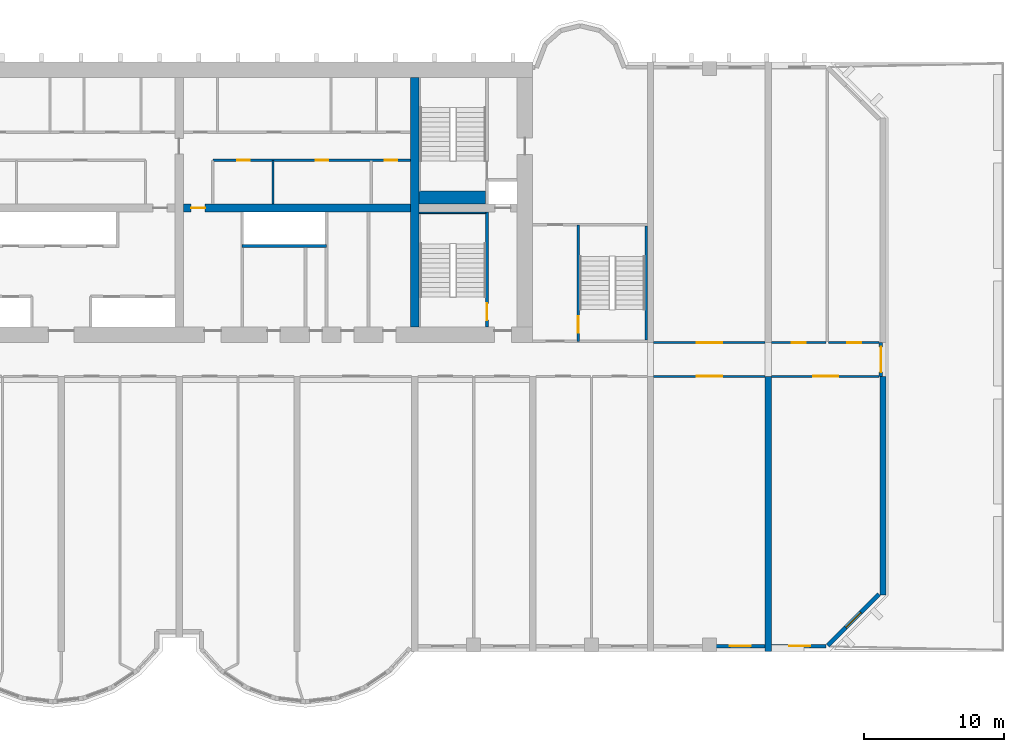
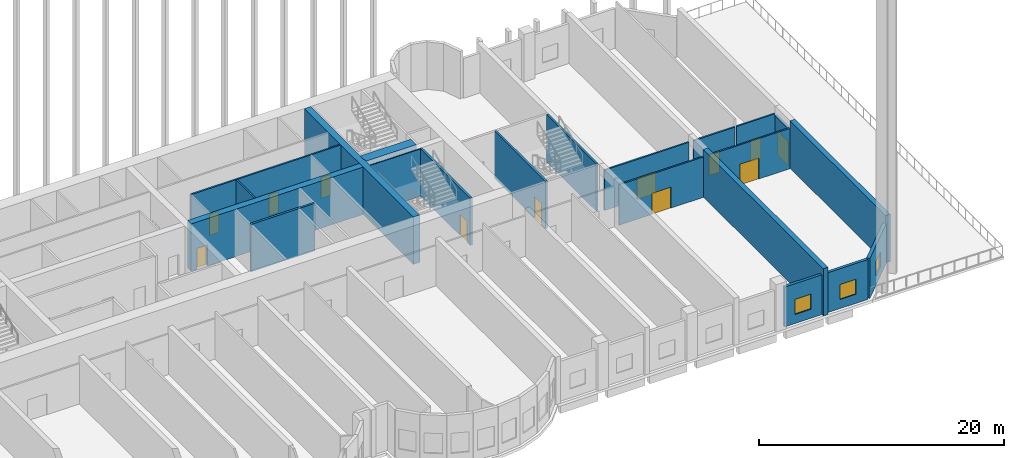
# One storey, part 7 of 11: 21 walls, 12 doors, 3 windows, 15 openings.
"""IFC4 building model written with IfcOpenShell, lengths in metres."""

from ifc_helpers import new_model, si_unit, direction, frame, frame_2d, origin, place, context, subcontext, project, spatial, rectangle, extrude, source, transform, mapped, material, layer, layer_set, type_object, element, fill, save


model = new_model("IFC4")

# Units and contexts
model_context = context("Model", 3, precision=1e-05, world=origin(), true_north=direction((0.0, 1.0)))
body_context = subcontext(model_context, "Body", "Model", "MODEL_VIEW")
ifc_project = project(units=[si_unit("LENGTHUNIT", "METRE"), si_unit("AREAUNIT", "SQUARE_METRE"), si_unit("VOLUMEUNIT", "CUBIC_METRE"), si_unit("PLANEANGLEUNIT", "RADIAN"), si_unit("MASSUNIT", "GRAM", prefix="KILO")], contexts=[model_context])

# Site, building, storey
site_placement = place(None, origin())
site = spatial("IfcSite", under=ifc_project, at=site_placement, CompositionType="ELEMENT")
building_placement = place(site_placement, origin())
building = spatial("IfcBuilding", under=site, at=building_placement, Name="Vanashikhar Sky Hotel", CompositionType="ELEMENT")
storey_placement = place(building_placement, frame((0.0, 0.0, 18.0)))
storey = spatial("IfcBuildingStorey", under=building, at=storey_placement, Name="L03", CompositionType="ELEMENT", Elevation=18.0)

# Wall
ifc_material_1 = material(Name="Concrete M80", Category="concrete")
ifc_layer_1 = layer(ifc_material_1, 0.60009765625)
ifc_layer_set_1 = layer_set([ifc_layer_1], Name="RC core inner wall 600 Concrete M80")
wall_type_1 = type_object("IfcWallType", Name="RC core inner wall 600 Concrete M80", PredefinedType="SHEAR", material=ifc_layer_set_1)
shared_shape_1 = source(origin(), body_context, "Body", "SweptSolid", [
    extrude(rectangle(XDim=17.7998046875, YDim=0.60009765625, at=frame_2d((8.89990234375, 0.0))), origin(), (0.0, 0.0, 1.0), 4.719970703125),
])
wall_1_placement = place(storey_placement, frame((67.199951171875, 23.10009765625, 0.0), z_axis=(0.0, 0.0, 1.0), x_axis=(0.0, 1.0, 0.0)))
element("IfcWall", 1, at=wall_1_placement, inside=storey, type_object=wall_type_1, Name="KW-L03-KX3", PredefinedType="SHEAR", context=body_context, shape_type="MappedRepresentation", body=[
    mapped(shared_shape_1, transform((0.0, 0.0, 0.0), scale=1.0)),
])

# Wall, opening, door
shared_shape_2 = source(origin(), body_context, "Body", "SweptSolid", [
    extrude(rectangle(XDim=16.199951171875, YDim=0.60009765625, at=frame_2d((8.10009765625, 0.0))), origin(), (0.0, 0.0, 1.0), 4.719970703125),
])
wall_2_placement = place(storey_placement, frame((50.699951171875, 31.60009765625, 0.0), z_axis=(0.0, 0.0, 1.0), x_axis=(1.0, 0.0, 0.0)))
wall_2 = element("IfcWall", 2, at=wall_2_placement, inside=storey, type_object=wall_type_1, Name="KW-L03-KY3", PredefinedType="SHEAR", context=body_context, shape_type="MappedRepresentation", body=[
    mapped(shared_shape_2, transform((0.0, 0.0, 0.0), scale=1.0)),
])
shared_shape_3 = source(origin(), body_context, "Body", "SweptSolid", [
    extrude(rectangle(XDim=1.0, YDim=2.10009765625, at=frame_2d((0.5, 1.050048828125))), frame((0.0, 0.31005859375, 0.0), z_axis=(0.0, -1.0, 0.0), x_axis=(1.0, 0.0, 0.0)), (0.0, 0.0, 1.0), 0.6201171875),
])
opening_1_placement = place(wall_2_placement, frame((0.550048828125, 0.0, 0.0)))
opening_1 = element("IfcOpeningElement", 3, at=opening_1_placement, cuts=wall_2, Name="Opening DC-4", PredefinedType="OPENING", context=body_context, shape_type="MappedRepresentation", body=[
    mapped(shared_shape_3, transform((0.0, 0.0, 0.0), scale=1.0)),
])
ifc_material_2 = material(Name="Steel", Category="steel")
door_type_1 = type_object("IfcDoorType", Name="Service door 1000 FD60", OperationType="NOTDEFINED", PredefinedType="DOOR", material=ifc_material_2)
shared_shape_4 = source(origin(), body_context, "Body", "SweptSolid", [
    extrude(rectangle(XDim=1.0, YDim=2.10009765625, at=frame_2d((0.5, 1.050048828125))), frame((0.0, 0.02490234375, 0.0), z_axis=(0.0, -1.0, 0.0), x_axis=(1.0, 0.0, 0.0)), (0.0, 0.0, 1.0), 0.050048828125),
])
door_1_placement = place(opening_1_placement, origin())
door_1 = element("IfcDoor", 4, at=door_1_placement, inside=storey, type_object=door_type_1, Name="Service door 1000 FD60", OperationType="SINGLE_SWING_RIGHT", OverallHeight=2.10009765625, OverallWidth=1.0, PredefinedType="DOOR", context=body_context, shape_type="MappedRepresentation", body=[
    mapped(shared_shape_4, transform((0.0, 0.0, 0.0), scale=1.0)),
])
fill(opening_1, door_1)

# Walls
ifc_layer_2 = layer(ifc_material_1, 0.449951171875)
ifc_layer_set_2 = layer_set([ifc_layer_2], Name="RC shear wall 450 Concrete M80")
wall_type_2 = type_object("IfcWallType", Name="RC shear wall 450 Concrete M80", PredefinedType="SHEAR", material=ifc_layer_set_2)
shared_shape_5 = source(origin(), body_context, "Body", "SweptSolid", [
    extrude(rectangle(XDim=15.60009765625, YDim=0.449951171875, at=frame_2d((7.800048828125, 0.0))), origin(), (0.0, 0.0, 1.0), 4.719970703125),
])
wall_3_placement = place(storey_placement, frame((100.574951171875, 4.0, 0.0), z_axis=(0.0, 0.0, 1.0), x_axis=(0.0, 1.0, 0.0)))
element("IfcWall", 5, at=wall_3_placement, inside=storey, type_object=wall_type_2, Name="CW-L03-XW13-1", PredefinedType="SHEAR", context=body_context, shape_type="MappedRepresentation", body=[
    mapped(shared_shape_5, transform((0.0, 0.0, 0.0), scale=1.0)),
])
shared_shape_6 = source(origin(), body_context, "Body", "SweptSolid", [
    extrude(rectangle(XDim=19.60009765625, YDim=0.449951171875, at=frame_2d((9.800048828125, 0.0))), origin(), (0.0, 0.0, 1.0), 4.719970703125),
])
wall_4_placement = place(storey_placement, frame((92.39990234375, 0.0, 0.0), z_axis=(0.0, 0.0, 1.0), x_axis=(0.0, 1.0, 0.0)))
element("IfcWall", 6, at=wall_4_placement, inside=storey, type_object=wall_type_2, Name="CW-L03-XW12-1", PredefinedType="SHEAR", context=body_context, shape_type="MappedRepresentation", body=[
    mapped(shared_shape_6, transform((0.0, 0.0, 0.0), scale=1.0)),
])

# Wall, opening, window
ifc_material_3 = material(Name="Concrete M50", Category="concrete")
ifc_layer_3 = layer(ifc_material_3, 0.25)
ifc_layer_set_3 = layer_set([ifc_layer_3], Name="Rear and end board-marked wall 250")
wall_type_3 = type_object("IfcWallType", Name="Rear and end board-marked wall 250", PredefinedType="SOLIDWALL", material=ifc_layer_set_3)
shared_shape_7 = source(origin(), body_context, "Body", "SweptSolid", [
    extrude(rectangle(XDim=3.525146484375, YDim=0.25, at=frame_2d((1.7626953125, 0.0))), origin(), (0.0, 0.0, 1.0), 3.969970703125),
])
wall_5_placement = place(storey_placement, frame((88.64990234375, 0.375, 0.0), z_axis=(0.0, 0.0, 1.0), x_axis=(1.0, 0.0, 0.0)))
wall_5 = element("IfcWall", 7, at=wall_5_placement, inside=storey, type_object=wall_type_3, Name="Podium external wall", PredefinedType="SOLIDWALL", context=body_context, shape_type="MappedRepresentation", body=[
    mapped(shared_shape_7, transform((0.0, 0.0, 0.0), scale=1.0)),
])
shared_shape_8 = source(origin(), body_context, "Body", "SweptSolid", [
    extrude(rectangle(XDim=1.5, YDim=1.5, at=frame_2d((0.75, 0.75))), frame((0.0, 0.135009765625, 0.0), z_axis=(0.0, -1.0, 0.0), x_axis=(1.0, 0.0, 0.0)), (0.0, 0.0, 1.0), 0.27001953125),
])
opening_2_placement = place(wall_5_placement, frame((1.012451171875, 0.0, 0.89990234375)))
opening_2 = element("IfcOpeningElement", 8, at=opening_2_placement, cuts=wall_5, Name="Opening WN-1", PredefinedType="OPENING", context=body_context, shape_type="MappedRepresentation", body=[
    mapped(shared_shape_8, transform((0.0, 0.0, 0.0), scale=1.0)),
])
ifc_material_4 = material(Name="Glass", Category="glass")
window_type = type_object("IfcWindowType", Name="Window 1500 x 1500", PartitioningType="SINGLE_PANEL", PredefinedType="WINDOW", material=ifc_material_4)
shared_shape_9 = source(origin(), body_context, "Body", "SweptSolid", [
    extrude(rectangle(XDim=1.5, YDim=1.5, at=frame_2d((0.75, 0.75))), frame((0.0, 0.030029296875, 0.0), z_axis=(0.0, -1.0, 0.0), x_axis=(1.0, 0.0, 0.0)), (0.0, 0.0, 1.0), 0.06005859375),
])
window_1_placement = place(opening_2_placement, origin())
window_1 = element("IfcWindow", 9, at=window_1_placement, inside=storey, type_object=window_type, Name="Window WN-1", OverallHeight=1.5, OverallWidth=1.5, PartitioningType="SINGLE_PANEL", PredefinedType="WINDOW", context=body_context, shape_type="MappedRepresentation", body=[
    mapped(shared_shape_9, transform((0.0, 0.0, 0.0), scale=1.0)),
])
fill(opening_2, window_1)

shared_shape_10 = source(origin(), body_context, "Body", "SweptSolid", [
    extrude(rectangle(XDim=3.899658203125, YDim=0.25, at=frame_2d((1.94970703125, 0.0))), origin(), (0.0, 0.0, 1.0), 3.969970703125),
])
wall_6_placement = place(storey_placement, frame((92.625, 0.375, 0.0), z_axis=(0.0, 0.0, 1.0), x_axis=(1.0, 0.0, 0.0)))
wall_6 = element("IfcWall", 10, at=wall_6_placement, inside=storey, type_object=wall_type_3, Name="Podium external wall", PredefinedType="SOLIDWALL", context=body_context, shape_type="MappedRepresentation", body=[
    mapped(shared_shape_10, transform((0.0, 0.0, 0.0), scale=1.0)),
])
opening_3_placement = place(wall_6_placement, frame((1.260009765625, 0.0, 0.89990234375)))
opening_3 = element("IfcOpeningElement", 11, at=opening_3_placement, cuts=wall_6, Name="Opening WN-1", PredefinedType="OPENING", context=body_context, shape_type="MappedRepresentation", body=[
    mapped(shared_shape_8, transform((0.0, 0.0, 0.0), scale=1.0)),
])
window_2_placement = place(opening_3_placement, origin())
window_2 = element("IfcWindow", 12, at=window_2_placement, inside=storey, type_object=window_type, Name="Window WN-1", OverallHeight=1.5, OverallWidth=1.5, PartitioningType="SINGLE_PANEL", PredefinedType="WINDOW", context=body_context, shape_type="MappedRepresentation", body=[
    mapped(shared_shape_9, transform((0.0, 0.0, 0.0), scale=1.0)),
])
fill(opening_3, window_2)

ifc_layer_4 = layer(ifc_material_3, 0.300048828125)
ifc_layer_set_4 = layer_set([ifc_layer_4], Name="Lobe wall 300")
wall_type_4 = type_object("IfcWallType", Name="Lobe wall 300", PredefinedType="SOLIDWALL", material=ifc_layer_set_4)
shared_shape_11 = source(origin(), body_context, "Body", "SweptSolid", [
    extrude(rectangle(XDim=5.173095703125, YDim=0.300048828125, at=frame_2d((2.58642578125, 0.0))), origin(), (0.0, 0.0, 1.0), 3.969970703125),
])
wall_7_placement = place(storey_placement, frame((96.63427734375, 0.39990234375, 0.0), z_axis=(0.0, 0.0, 1.0), x_axis=(0.707106781187, 0.707106781187, 0.0)))
wall_7 = element("IfcWall", 13, at=wall_7_placement, inside=storey, type_object=wall_type_4, Name="Corner wall", PredefinedType="SOLIDWALL", context=body_context, shape_type="MappedRepresentation", body=[
    mapped(shared_shape_11, transform((0.0, 0.0, 0.0), scale=1.0)),
])
shared_shape_12 = source(origin(), body_context, "Body", "SweptSolid", [
    extrude(rectangle(XDim=1.5, YDim=1.5, at=frame_2d((0.75, 0.75))), frame((0.0, 0.16015625, 0.0), z_axis=(0.0, -1.0, 0.0), x_axis=(1.0, 0.0, 0.0)), (0.0, 0.0, 1.0), 0.320068359375),
])
opening_4_placement = place(wall_7_placement, frame((1.83642578125, 0.0, 0.89990234375)))
opening_4 = element("IfcOpeningElement", 14, at=opening_4_placement, cuts=wall_7, Name="Opening WN-1", PredefinedType="OPENING", context=body_context, shape_type="MappedRepresentation", body=[
    mapped(shared_shape_12, transform((0.0, 0.0, 0.0), scale=1.0)),
])
window_3_placement = place(opening_4_placement, origin())
window_3 = element("IfcWindow", 15, at=window_3_placement, inside=storey, type_object=window_type, Name="Window WN-1", OverallHeight=1.5, OverallWidth=1.5, PartitioningType="SINGLE_PANEL", PredefinedType="WINDOW", context=body_context, shape_type="MappedRepresentation", body=[
    mapped(shared_shape_9, transform((0.0, 0.0, 0.0), scale=1.0)),
])
fill(opening_4, window_3)

# Wall, opening, door
shared_shape_13 = source(origin(), body_context, "Body", "SweptSolid", [
    extrude(rectangle(XDim=2.39990234375, YDim=0.25, at=frame_2d((1.199951171875, 0.0))), origin(), (0.0, 0.0, 1.0), 3.820068359375),
])
wall_8_placement = place(storey_placement, frame((100.425048828125, 19.60009765625, 0.0), z_axis=(0.0, 0.0, 1.0), x_axis=(0.0, 1.0, 0.0)))
wall_8 = element("IfcWall", 16, at=wall_8_placement, inside=storey, type_object=wall_type_3, Name="Podium external wall", PredefinedType="SOLIDWALL", context=body_context, shape_type="MappedRepresentation", body=[
    mapped(shared_shape_13, transform((0.0, 0.0, 0.0), scale=1.0)),
])
shared_shape_14 = source(origin(), body_context, "Body", "SweptSolid", [
    extrude(rectangle(XDim=1.800048828125, YDim=2.39990234375, at=frame_2d((0.89990234375, 1.199951171875))), frame((0.0, 0.135009765625, 0.0), z_axis=(0.0, -1.0, 0.0), x_axis=(1.0, 0.0, 0.0)), (0.0, 0.0, 1.0), 0.27001953125),
])
opening_5_placement = place(wall_8_placement, frame((0.300048828125, 0.0, 0.0)))
opening_5 = element("IfcOpeningElement", 17, at=opening_5_placement, cuts=wall_8, Name="Opening DX-2-301", PredefinedType="OPENING", context=body_context, shape_type="MappedRepresentation", body=[
    mapped(shared_shape_14, transform((0.0, 0.0, 0.0), scale=1.0)),
])
ifc_material_5 = material(Name="Aluminium", Category="aluminium")
door_type_2 = type_object("IfcDoorType", Name="Garden double door 1800 x 2400", OperationType="NOTDEFINED", PredefinedType="DOOR", material=ifc_material_5)
shared_shape_15 = source(origin(), body_context, "Body", "SweptSolid", [
    extrude(rectangle(XDim=1.800048828125, YDim=2.39990234375, at=frame_2d((0.89990234375, 1.199951171875))), frame((0.0, 0.02490234375, 0.0), z_axis=(0.0, -1.0, 0.0), x_axis=(1.0, 0.0, 0.0)), (0.0, 0.0, 1.0), 0.050048828125),
])
door_2_placement = place(opening_5_placement, origin())
door_2 = element("IfcDoor", 18, at=door_2_placement, inside=storey, type_object=door_type_2, Name="Garden double door", OperationType="DOUBLE_DOOR_SINGLE_SWING", OverallHeight=2.39990234375, OverallWidth=1.800048828125, PredefinedType="DOOR", context=body_context, shape_type="MappedRepresentation", body=[
    mapped(shared_shape_15, transform((0.0, 0.0, 0.0), scale=1.0)),
])
fill(opening_5, door_2)

# Walls
ifc_material_6 = material(Name="Concrete M40", Category="concrete")
ifc_layer_5 = layer(ifc_material_6, 0.199951171875)
ifc_layer_set_5 = layer_set([ifc_layer_5], Name="Shaft wall 200")
wall_type_5 = type_object("IfcWallType", Name="Shaft wall 200", PredefinedType="SOLIDWALL", material=ifc_layer_set_5)
shared_shape_16 = source(origin(), body_context, "Body", "SweptSolid", [
    extrude(rectangle(XDim=6.0, YDim=0.199951171875, at=frame_2d((3.0, 0.0))), origin(), (0.0, 0.0, 1.0), 4.719970703125),
])
wall_9_placement = place(storey_placement, frame((60.89990234375, 28.89990234375, 0.0), z_axis=(0.0, 0.0, 1.0), x_axis=(-1.0, 0.0, 0.0)))
element("IfcWall", 19, at=wall_9_placement, inside=storey, type_object=wall_type_5, Name="Shaft wall 200", PredefinedType="SOLIDWALL", context=body_context, shape_type="MappedRepresentation", body=[
    mapped(shared_shape_16, transform((0.0, 0.0, 0.0), scale=1.0)),
])
ifc_material_7 = material(Name="Gypsum board partition")
ifc_layer_6 = layer(ifc_material_7, 0.14990234375)
ifc_layer_set_6 = layer_set([ifc_layer_6], Name="Service partition 150")
wall_type_6 = type_object("IfcWallType", Name="Service partition 150", PredefinedType="PARTITIONING", material=ifc_layer_set_6)
shared_shape_17 = source(origin(), body_context, "Body", "SweptSolid", [
    extrude(rectangle(XDim=3.10009765625, YDim=0.14990234375, at=frame_2d((1.550048828125, 0.0))), origin(), (0.0, 0.0, 1.0), 4.719970703125),
])
wall_10_placement = place(storey_placement, frame((57.08203125, 31.89990234375, 0.0), z_axis=(0.0, 0.0, 1.0), x_axis=(0.0, 1.0, 0.0)))
element("IfcWall", 20, at=wall_10_placement, inside=storey, type_object=wall_type_6, Name="Service partition 150", PredefinedType="PARTITIONING", context=body_context, shape_type="MappedRepresentation", body=[
    mapped(shared_shape_17, transform((0.0, 0.0, 0.0), scale=1.0)),
])

# Wall, openings, doors
shared_shape_18 = source(origin(), body_context, "Body", "SweptSolid", [
    extrude(rectangle(XDim=14.099853515625, YDim=0.14990234375, at=frame_2d((7.0498046875, 0.0))), origin(), (0.0, 0.0, 1.0), 4.719970703125),
])
wall_11_placement = place(storey_placement, frame((66.89990234375, 35.0, 0.0), z_axis=(0.0, 0.0, 1.0), x_axis=(-1.0, 0.0, 0.0)))
wall_11 = element("IfcWall", 21, at=wall_11_placement, inside=storey, type_object=wall_type_6, Name="Service partition 150", PredefinedType="PARTITIONING", context=body_context, shape_type="MappedRepresentation", body=[
    mapped(shared_shape_18, transform((0.0, 0.0, 0.0), scale=1.0)),
])
shared_shape_19 = source(origin(), body_context, "Body", "SweptSolid", [
    extrude(rectangle(XDim=0.89990234375, YDim=2.10009765625, at=frame_2d((0.449951171875, 1.050048828125))), frame((0.0, 0.0849609375, 0.0), z_axis=(0.0, -1.0, 0.0), x_axis=(1.0, 0.0, 0.0)), (0.0, 0.0, 1.0), 0.169921875),
])
opening_6_placement = place(wall_11_placement, frame((0.951904296875, 0.0, 0.0)))
opening_6 = element("IfcOpeningElement", 22, at=opening_6_placement, cuts=wall_11, Name="Opening DC-4-A", PredefinedType="OPENING", context=body_context, shape_type="MappedRepresentation", body=[
    mapped(shared_shape_19, transform((0.0, 0.0, 0.0), scale=1.0)),
])
opening_7_placement = place(wall_11_placement, frame((5.861083984375, 0.0, 0.0)))
opening_7 = element("IfcOpeningElement", 23, at=opening_7_placement, cuts=wall_11, Name="Opening DC-4-A", PredefinedType="OPENING", context=body_context, shape_type="MappedRepresentation", body=[
    mapped(shared_shape_19, transform((0.0, 0.0, 0.0), scale=1.0)),
])
opening_8_placement = place(wall_11_placement, frame((11.470947265625, 0.0, 0.0)))
opening_8 = element("IfcOpeningElement", 24, at=opening_8_placement, cuts=wall_11, Name="Opening DC-4-A", PredefinedType="OPENING", context=body_context, shape_type="MappedRepresentation", body=[
    mapped(shared_shape_19, transform((0.0, 0.0, 0.0), scale=1.0)),
])
door_type_3 = type_object("IfcDoorType", Name="Service door 900 FD60", OperationType="NOTDEFINED", PredefinedType="DOOR", material=ifc_material_2)
shared_shape_20 = source(origin(), body_context, "Body", "SweptSolid", [
    extrude(rectangle(XDim=0.89990234375, YDim=2.10009765625, at=frame_2d((0.449951171875, 1.050048828125))), frame((0.0, 0.02490234375, 0.0), z_axis=(0.0, -1.0, 0.0), x_axis=(1.0, 0.0, 0.0)), (0.0, 0.0, 1.0), 0.050048828125),
])
door_3_placement = place(opening_6_placement, origin())
door_3 = element("IfcDoor", 25, at=door_3_placement, inside=storey, type_object=door_type_3, Name="Service door 900 FD60", OperationType="SINGLE_SWING_RIGHT", OverallHeight=2.10009765625, OverallWidth=0.89990234375, PredefinedType="DOOR", context=body_context, shape_type="MappedRepresentation", body=[
    mapped(shared_shape_20, transform((0.0, 0.0, 0.0), scale=1.0)),
])
fill(opening_6, door_3)
door_4_placement = place(opening_7_placement, origin())
door_4 = element("IfcDoor", 26, at=door_4_placement, inside=storey, type_object=door_type_3, Name="Service door 900 FD60", OperationType="SINGLE_SWING_RIGHT", OverallHeight=2.10009765625, OverallWidth=0.89990234375, PredefinedType="DOOR", context=body_context, shape_type="MappedRepresentation", body=[
    mapped(shared_shape_20, transform((0.0, 0.0, 0.0), scale=1.0)),
])
fill(opening_7, door_4)
door_5_placement = place(opening_8_placement, origin())
door_5 = element("IfcDoor", 27, at=door_5_placement, inside=storey, type_object=door_type_3, Name="Service door 900 FD60", OperationType="SINGLE_SWING_LEFT", OverallHeight=2.10009765625, OverallWidth=0.89990234375, PredefinedType="DOOR", context=body_context, shape_type="MappedRepresentation", body=[
    mapped(shared_shape_20, transform((0.0, 0.0, 0.0), scale=1.0)),
])
fill(opening_8, door_5)

# Wall, opening, door
ifc_layer_7 = layer(ifc_material_3, 0.199951171875)
ifc_layer_set_7 = layer_set([ifc_layer_7], Name="Stair wall 200")
wall_type_7 = type_object("IfcWallType", Name="Stair wall 200", PredefinedType="SOLIDWALL", material=ifc_layer_set_7)
shared_shape_21 = source(origin(), body_context, "Body", "SweptSolid", [
    extrude(rectangle(XDim=8.199951171875, YDim=0.199951171875, at=frame_2d((4.10009765625, 0.0))), origin(), (0.0, 0.0, 1.0), 4.719970703125),
])
wall_12_placement = place(storey_placement, frame((72.35009765625, 23.10009765625, 0.0), z_axis=(0.0, 0.0, 1.0), x_axis=(0.0, 1.0, 0.0)))
wall_12 = element("IfcWall", 28, at=wall_12_placement, inside=storey, type_object=wall_type_7, Name="Stair wall 200", PredefinedType="SOLIDWALL", context=body_context, shape_type="MappedRepresentation", body=[
    mapped(shared_shape_21, transform((0.0, 0.0, 0.0), scale=1.0)),
])
shared_shape_22 = source(origin(), body_context, "Body", "SweptSolid", [
    extrude(rectangle(XDim=1.199951171875, YDim=2.10009765625, at=frame_2d((0.60009765625, 1.050048828125))), frame((0.0, 0.10986328125, 0.0), z_axis=(0.0, -1.0, 0.0), x_axis=(1.0, 0.0, 0.0)), (0.0, 0.0, 1.0), 0.219970703125),
])
opening_9_placement = place(wall_12_placement, frame((0.5, 0.0, 0.0)))
opening_9 = element("IfcOpeningElement", 29, at=opening_9_placement, cuts=wall_12, Name="Opening DC-1", PredefinedType="OPENING", context=body_context, shape_type="MappedRepresentation", body=[
    mapped(shared_shape_22, transform((0.0, 0.0, 0.0), scale=1.0)),
])
door_type_4 = type_object("IfcDoorType", Name="Stair door 1200 FD120", OperationType="NOTDEFINED", PredefinedType="DOOR", material=ifc_material_2)
shared_shape_23 = source(origin(), body_context, "Body", "SweptSolid", [
    extrude(rectangle(XDim=1.199951171875, YDim=2.10009765625, at=frame_2d((0.60009765625, 1.050048828125))), frame((0.0, 0.02490234375, 0.0), z_axis=(0.0, -1.0, 0.0), x_axis=(1.0, 0.0, 0.0)), (0.0, 0.0, 1.0), 0.050048828125),
])
door_6_placement = place(opening_9_placement, origin())
door_6 = element("IfcDoor", 30, at=door_6_placement, inside=storey, type_object=door_type_4, Name="Stair door 1200 FD120", OperationType="SINGLE_SWING_RIGHT", OverallHeight=2.10009765625, OverallWidth=1.199951171875, PredefinedType="DOOR", context=body_context, shape_type="MappedRepresentation", body=[
    mapped(shared_shape_23, transform((0.0, 0.0, 0.0), scale=1.0)),
])
fill(opening_9, door_6)

shared_shape_24 = source(origin(), body_context, "Body", "SweptSolid", [
    extrude(rectangle(XDim=8.2998046875, YDim=0.199951171875, at=frame_2d((4.14990234375, 0.0))), origin(), (0.0, 0.0, 1.0), 4.719970703125),
])
wall_13_placement = place(storey_placement, frame((78.85009765625, 22.10009765625, 0.0), z_axis=(0.0, 0.0, 1.0), x_axis=(0.0, 1.0, 0.0)))
wall_13 = element("IfcWall", 31, at=wall_13_placement, inside=storey, type_object=wall_type_7, Name="Stair wall 200", PredefinedType="SOLIDWALL", context=body_context, shape_type="MappedRepresentation", body=[
    mapped(shared_shape_24, transform((0.0, 0.0, 0.0), scale=1.0)),
])
opening_10_placement = place(wall_13_placement, frame((0.60009765625, 0.0, 0.0)))
opening_10 = element("IfcOpeningElement", 32, at=opening_10_placement, cuts=wall_13, Name="Opening DC-1", PredefinedType="OPENING", context=body_context, shape_type="MappedRepresentation", body=[
    mapped(shared_shape_22, transform((0.0, 0.0, 0.0), scale=1.0)),
])
door_7_placement = place(opening_10_placement, origin())
door_7 = element("IfcDoor", 33, at=door_7_placement, inside=storey, type_object=door_type_4, Name="Stair door 1200 FD120", OperationType="SINGLE_SWING_LEFT", OverallHeight=2.10009765625, OverallWidth=1.199951171875, PredefinedType="DOOR", context=body_context, shape_type="MappedRepresentation", body=[
    mapped(shared_shape_23, transform((0.0, 0.0, 0.0), scale=1.0)),
])
fill(opening_10, door_7)

# Walls
ifc_layer_8 = layer(ifc_material_3, 0.10009765625)
ifc_layer_set_8 = layer_set([ifc_layer_8], Name="Stair infill wall 100")
wall_type_8 = type_object("IfcWallType", Name="Stair infill wall 100", PredefinedType="SOLIDWALL", material=ifc_layer_set_8)
shared_shape_25 = source(origin(), body_context, "Body", "SweptSolid", [
    extrude(rectangle(XDim=4.75, YDim=0.10009765625, at=frame_2d((2.375, 0.0))), origin(), (0.0, 0.0, 1.0), 4.719970703125),
])
wall_14_placement = place(storey_placement, frame((67.5, 31.25, 0.0), z_axis=(0.0, 0.0, 1.0), x_axis=(1.0, 0.0, 0.0)))
element("IfcWall", 34, at=wall_14_placement, inside=storey, type_object=wall_type_8, Name="Stair infill wall 100", PredefinedType="SOLIDWALL", context=body_context, shape_type="MappedRepresentation", body=[
    mapped(shared_shape_25, transform((0.0, 0.0, 0.0), scale=1.0)),
])
ifc_layer_9 = layer(ifc_material_3, 0.175048828125)
ifc_layer_set_9 = layer_set([ifc_layer_9], Name="Stair infill wall 175")
wall_type_9 = type_object("IfcWallType", Name="Stair infill wall 175", PredefinedType="SOLIDWALL", material=ifc_layer_set_9)
shared_shape_26 = source(origin(), body_context, "Body", "SweptSolid", [
    extrude(rectangle(XDim=8.10009765625, YDim=0.175048828125, at=frame_2d((4.050048828125, 0.0))), origin(), (0.0, 0.0, 1.0), 4.719970703125),
])
wall_15_placement = place(storey_placement, frame((83.68798828125, 22.199951171875, 0.0), z_axis=(0.0, 0.0, 1.0), x_axis=(0.0, 1.0, 0.0)))
element("IfcWall", 35, at=wall_15_placement, inside=storey, type_object=wall_type_9, Name="Stair infill wall 175", PredefinedType="SOLIDWALL", context=body_context, shape_type="MappedRepresentation", body=[
    mapped(shared_shape_26, transform((0.0, 0.0, 0.0), scale=1.0)),
])
ifc_layer_10 = layer(ifc_material_3, 0.89990234375)
ifc_layer_set_10 = layer_set([ifc_layer_10], Name="Stair infill wall 900")
wall_type_10 = type_object("IfcWallType", Name="Stair infill wall 900", PredefinedType="SOLIDWALL", material=ifc_layer_set_10)
shared_shape_27 = source(origin(), body_context, "Body", "SweptSolid", [
    extrude(rectangle(XDim=4.75, YDim=0.89990234375, at=frame_2d((2.375, 0.0))), origin(), (0.0, 0.0, 1.0), 4.719970703125),
])
wall_16_placement = place(storey_placement, frame((67.5, 32.35009765625, 0.0), z_axis=(0.0, 0.0, 1.0), x_axis=(1.0, 0.0, 0.0)))
element("IfcWall", 36, at=wall_16_placement, inside=storey, type_object=wall_type_10, Name="Stair infill wall 900", PredefinedType="SOLIDWALL", context=body_context, shape_type="MappedRepresentation", body=[
    mapped(shared_shape_27, transform((0.0, 0.0, 0.0), scale=1.0)),
])

# Wall, opening, door
ifc_material_8 = material(Name="Gypsum plasterboard partition")
ifc_layer_11 = layer(ifc_material_8, 0.14990234375)
ifc_layer_set_11 = layer_set([ifc_layer_11], Name="Corridor and demising partition 150")
wall_type_11 = type_object("IfcWallType", Name="Corridor and demising partition 150", PredefinedType="PARTITIONING", material=ifc_layer_set_11)
shared_shape_28 = source(origin(), body_context, "Body", "SweptSolid", [
    extrude(rectangle(XDim=3.625, YDim=0.14990234375, at=frame_2d((1.8125, 0.0))), origin(), (0.0, 0.0, 1.0), 4.02001953125),
])
wall_17_placement = place(storey_placement, frame((96.675048828125, 22.0, 0.0), z_axis=(0.0, 0.0, 1.0), x_axis=(1.0, 0.0, 0.0)))
wall_17 = element("IfcWall", 37, at=wall_17_placement, inside=storey, type_object=wall_type_11, Name="W-L03-PW033", PredefinedType="PARTITIONING", context=body_context, shape_type="MappedRepresentation", body=[
    mapped(shared_shape_28, transform((0.0, 0.0, 0.0), scale=1.0)),
])
shared_shape_29 = source(origin(), body_context, "Body", "SweptSolid", [
    extrude(rectangle(XDim=1.0, YDim=2.10009765625, at=frame_2d((0.5, 1.050048828125))), frame((0.0, 0.0849609375, 0.0), z_axis=(0.0, -1.0, 0.0), x_axis=(1.0, 0.0, 0.0)), (0.0, 0.0, 1.0), 0.169921875),
])
opening_11_placement = place(wall_17_placement, frame((1.3369140625, 0.0, 0.0)))
opening_11 = element("IfcOpeningElement", 38, at=opening_11_placement, cuts=wall_17, Name="Opening D-01", PredefinedType="OPENING", context=body_context, shape_type="MappedRepresentation", body=[
    mapped(shared_shape_29, transform((0.0, 0.0, 0.0), scale=1.0)),
])
ifc_material_9 = material(Name="Timber fire door", Category="wood")
door_type_5 = type_object("IfcDoorType", Name="Guest entry door 1000 FD30S", OperationType="NOTDEFINED", PredefinedType="DOOR", material=ifc_material_9)
door_8_placement = place(opening_11_placement, origin())
door_8 = element("IfcDoor", 39, at=door_8_placement, inside=storey, type_object=door_type_5, Name="D-L03-024", OperationType="SINGLE_SWING_RIGHT", OverallHeight=2.10009765625, OverallWidth=1.0, PredefinedType="DOOR", context=body_context, shape_type="MappedRepresentation", body=[
    mapped(shared_shape_4, transform((0.0, 0.0, 0.0), scale=1.0)),
])
fill(opening_11, door_8)

shared_shape_30 = source(origin(), body_context, "Body", "SweptSolid", [
    extrude(rectangle(XDim=7.949951171875, YDim=0.14990234375, at=frame_2d((3.97509765625, 0.0))), origin(), (0.0, 0.0, 1.0), 4.02001953125),
])
wall_18_placement = place(storey_placement, frame((84.22509765625, 19.60009765625, 0.0), z_axis=(0.0, 0.0, 1.0), x_axis=(1.0, 0.0, 0.0)))
wall_18 = element("IfcWall", 40, at=wall_18_placement, inside=storey, type_object=wall_type_11, Name="W-L03-PW023", PredefinedType="PARTITIONING", context=body_context, shape_type="MappedRepresentation", body=[
    mapped(shared_shape_30, transform((0.0, 0.0, 0.0), scale=1.0)),
])
shared_shape_31 = source(origin(), body_context, "Body", "SweptSolid", [
    extrude(rectangle(XDim=1.800048828125, YDim=2.10009765625, at=frame_2d((0.89990234375, 1.050048828125))), frame((0.0, 0.0849609375, 0.0), z_axis=(0.0, -1.0, 0.0), x_axis=(1.0, 0.0, 0.0)), (0.0, 0.0, 1.0), 0.169921875),
])
opening_12_placement = place(wall_18_placement, frame((3.074951171875, 0.0, 0.0)))
opening_12 = element("IfcOpeningElement", 41, at=opening_12_placement, cuts=wall_18, Name="Opening D-03", PredefinedType="OPENING", context=body_context, shape_type="MappedRepresentation", body=[
    mapped(shared_shape_31, transform((0.0, 0.0, 0.0), scale=1.0)),
])
door_type_6 = type_object("IfcDoorType", Name="Double leaf door 1800 FD30S", OperationType="NOTDEFINED", PredefinedType="DOOR", material=ifc_material_9)
shared_shape_32 = source(origin(), body_context, "Body", "SweptSolid", [
    extrude(rectangle(XDim=1.800048828125, YDim=2.10009765625, at=frame_2d((0.89990234375, 1.050048828125))), frame((0.0, 0.02490234375, 0.0), z_axis=(0.0, -1.0, 0.0), x_axis=(1.0, 0.0, 0.0)), (0.0, 0.0, 1.0), 0.050048828125),
])
door_9_placement = place(opening_12_placement, origin())
door_9 = element("IfcDoor", 42, at=door_9_placement, inside=storey, type_object=door_type_6, Name="D-L03-017", OperationType="DOUBLE_DOOR_SINGLE_SWING", OverallHeight=2.10009765625, OverallWidth=1.800048828125, PredefinedType="DOOR", context=body_context, shape_type="MappedRepresentation", body=[
    mapped(shared_shape_32, transform((0.0, 0.0, 0.0), scale=1.0)),
])
fill(opening_12, door_9)

wall_19_placement = place(storey_placement, frame((84.22509765625, 22.0, 0.0), z_axis=(0.0, 0.0, 1.0), x_axis=(1.0, 0.0, 0.0)))
wall_19 = element("IfcWall", 43, at=wall_19_placement, inside=storey, type_object=wall_type_11, Name="W-L03-PW031", PredefinedType="PARTITIONING", context=body_context, shape_type="MappedRepresentation", body=[
    mapped(shared_shape_30, transform((0.0, 0.0, 0.0), scale=1.0)),
])
opening_13_placement = place(wall_19_placement, frame((3.074951171875, 0.0, 0.0)))
opening_13 = element("IfcOpeningElement", 44, at=opening_13_placement, cuts=wall_19, Name="Opening D-03", PredefinedType="OPENING", context=body_context, shape_type="MappedRepresentation", body=[
    mapped(shared_shape_31, transform((0.0, 0.0, 0.0), scale=1.0)),
])
door_10_placement = place(opening_13_placement, origin())
door_10 = element("IfcDoor", 45, at=door_10_placement, inside=storey, type_object=door_type_6, Name="D-L03-022", OperationType="DOUBLE_DOOR_SINGLE_SWING", OverallHeight=2.10009765625, OverallWidth=1.800048828125, PredefinedType="DOOR", context=body_context, shape_type="MappedRepresentation", body=[
    mapped(shared_shape_32, transform((0.0, 0.0, 0.0), scale=1.0)),
])
fill(opening_13, door_10)

shared_shape_33 = source(origin(), body_context, "Body", "SweptSolid", [
    extrude(rectangle(XDim=3.89990234375, YDim=0.14990234375, at=frame_2d((1.949951171875, 0.0))), origin(), (0.0, 0.0, 1.0), 4.02001953125),
])
wall_20_placement = place(storey_placement, frame((92.625, 22.0, 0.0), z_axis=(0.0, 0.0, 1.0), x_axis=(1.0, 0.0, 0.0)))
wall_20 = element("IfcWall", 46, at=wall_20_placement, inside=storey, type_object=wall_type_11, Name="W-L03-PW032", PredefinedType="PARTITIONING", context=body_context, shape_type="MappedRepresentation", body=[
    mapped(shared_shape_33, transform((0.0, 0.0, 0.0), scale=1.0)),
])
opening_14_placement = place(wall_20_placement, frame((1.449951171875, 0.0, 0.0)))
opening_14 = element("IfcOpeningElement", 47, at=opening_14_placement, cuts=wall_20, Name="Opening D-01", PredefinedType="OPENING", context=body_context, shape_type="MappedRepresentation", body=[
    mapped(shared_shape_29, transform((0.0, 0.0, 0.0), scale=1.0)),
])
door_11_placement = place(opening_14_placement, origin())
door_11 = element("IfcDoor", 48, at=door_11_placement, inside=storey, type_object=door_type_5, Name="D-L03-023", OperationType="SINGLE_SWING_LEFT", OverallHeight=2.10009765625, OverallWidth=1.0, PredefinedType="DOOR", context=body_context, shape_type="MappedRepresentation", body=[
    mapped(shared_shape_4, transform((0.0, 0.0, 0.0), scale=1.0)),
])
fill(opening_14, door_11)

shared_shape_34 = source(origin(), body_context, "Body", "SweptSolid", [
    extrude(rectangle(XDim=7.675048828125, YDim=0.14990234375, at=frame_2d((3.83740234375, 0.0))), origin(), (0.0, 0.0, 1.0), 4.02001953125),
])
wall_21_placement = place(storey_placement, frame((92.625, 19.60009765625, 0.0), z_axis=(0.0, 0.0, 1.0), x_axis=(1.0, 0.0, 0.0)))
wall_21 = element("IfcWall", 49, at=wall_21_placement, inside=storey, type_object=wall_type_11, Name="W-L03-PW024", PredefinedType="PARTITIONING", context=body_context, shape_type="MappedRepresentation", body=[
    mapped(shared_shape_34, transform((0.0, 0.0, 0.0), scale=1.0)),
])
opening_15_placement = place(wall_21_placement, frame((2.9619140625, 0.0, 0.0)))
opening_15 = element("IfcOpeningElement", 50, at=opening_15_placement, cuts=wall_21, Name="Opening D-03", PredefinedType="OPENING", context=body_context, shape_type="MappedRepresentation", body=[
    mapped(shared_shape_31, transform((0.0, 0.0, 0.0), scale=1.0)),
])
door_12_placement = place(opening_15_placement, origin())
door_12 = element("IfcDoor", 51, at=door_12_placement, inside=storey, type_object=door_type_6, Name="D-L03-018", OperationType="DOUBLE_DOOR_SINGLE_SWING", OverallHeight=2.10009765625, OverallWidth=1.800048828125, PredefinedType="DOOR", context=body_context, shape_type="MappedRepresentation", body=[
    mapped(shared_shape_32, transform((0.0, 0.0, 0.0), scale=1.0)),
])
fill(opening_15, door_12)

save(model, "model.ifc")
